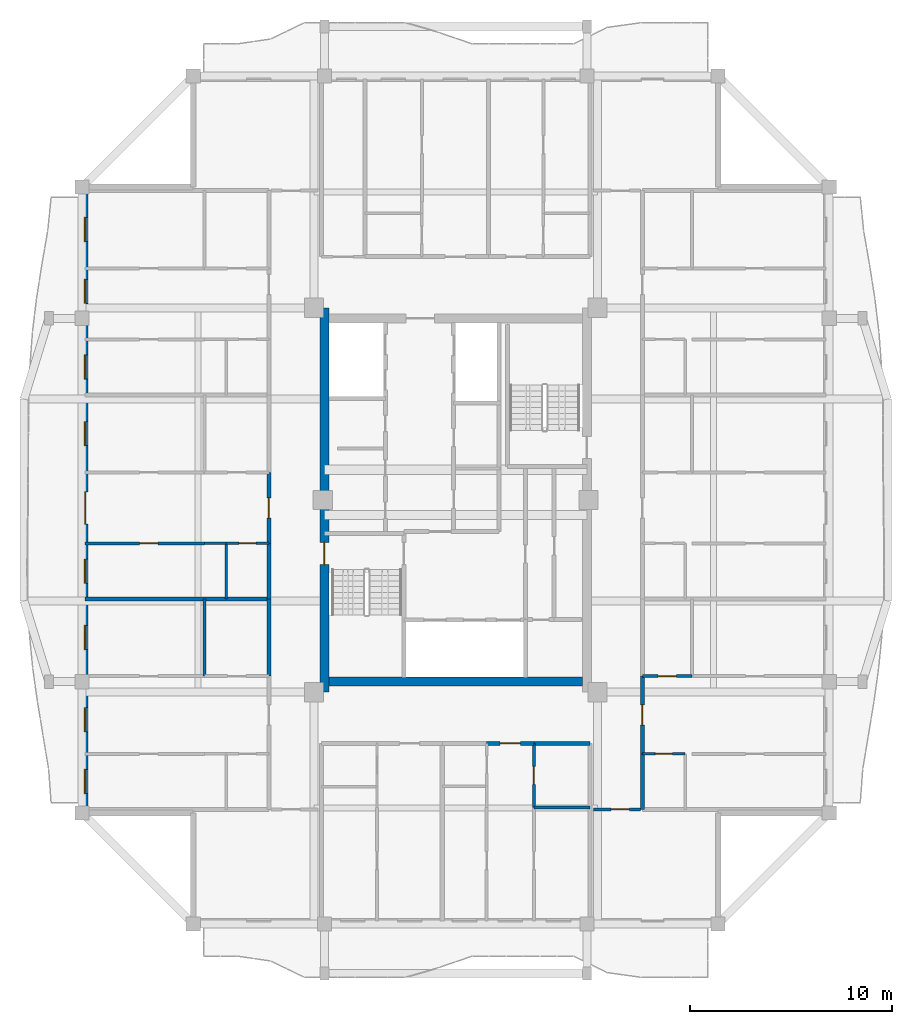
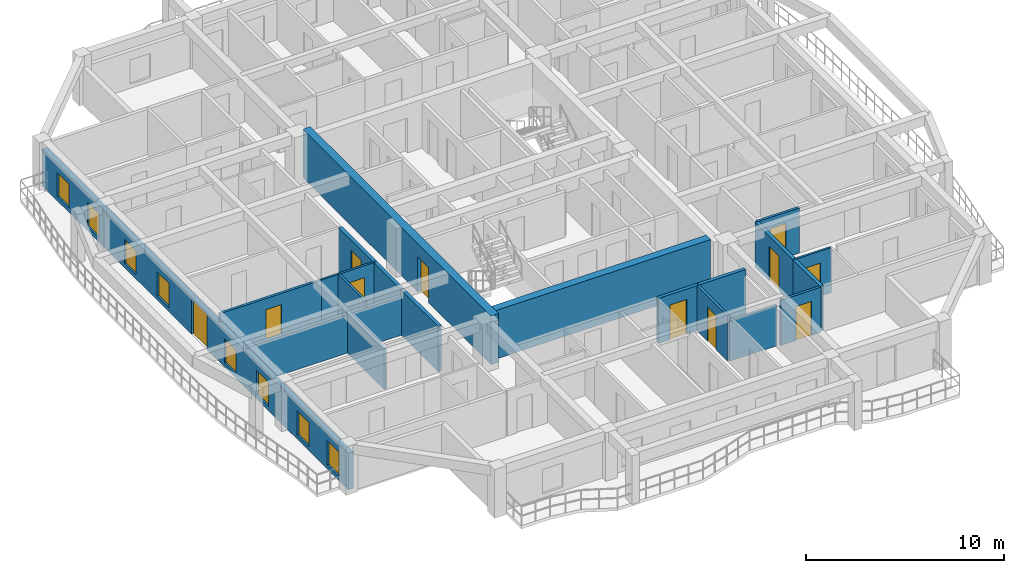
# One storey, part 3 of 14: 21 walls, 11 doors, 8 windows, 19 openings.
"""IFC4 building model written with IfcOpenShell, lengths in metres."""

from ifc_helpers import new_model, si_unit, direction, frame, frame_2d, origin, place, context, subcontext, project, spatial, rectangle, extrude, source, transform, mapped, material, layer, layer_set, type_object, element, fill, save


model = new_model("IFC4")

# Units and contexts
model_context = context("Model", 3, precision=1e-05, world=origin(), true_north=direction((0.0, 1.0)))
body_context = subcontext(model_context, "Body", "Model", "MODEL_VIEW")
ifc_project = project(units=[si_unit("LENGTHUNIT", "METRE"), si_unit("AREAUNIT", "SQUARE_METRE"), si_unit("VOLUMEUNIT", "CUBIC_METRE"), si_unit("PLANEANGLEUNIT", "RADIAN"), si_unit("MASSUNIT", "GRAM", prefix="KILO")], contexts=[model_context])

# Site, building, storey
site_placement = place(None, origin())
site = spatial("IfcSite", under=ifc_project, at=site_placement, CompositionType="ELEMENT")
building_placement = place(site_placement, origin())
building = spatial("IfcBuilding", under=site, at=building_placement, Name="Saelheon Loggia Tower", CompositionType="ELEMENT")
storey_placement = place(building_placement, frame((0.0, 0.0, 213.300048828125)))
storey = spatial("IfcBuildingStorey", under=building, at=storey_placement, Name="L66", CompositionType="ELEMENT", Elevation=213.300048828125)

# Wall, opening, door
ifc_material_1 = material(Name="Concrete C45/55", Category="concrete")
ifc_layer_1 = layer(ifc_material_1, 0.449951171875)
ifc_layer_set_1 = layer_set([ifc_layer_1], Name="Concrete C45/55")
wall_type_1 = type_object("IfcWallType", Name="Wall_CoreShear_450", PredefinedType="SHEAR", material=ifc_layer_set_1)
wall_1_placement = place(storey_placement, frame((31.5, 17.47998046875, 0.0), z_axis=(0.0, 0.0, 1.0), x_axis=(0.0, 1.0, 0.0)))
wall_1 = element("IfcWall", 1, at=wall_1_placement, inside=storey, type_object=wall_type_1, Name="L66 Core Shear Wall West", PredefinedType="SHEAR", context=body_context, shape_type="SweptSolid", body=[
    extrude(rectangle(XDim=19.0400390625, YDim=0.449951171875, at=frame_2d((9.52001953125, 0.0))), origin(), (0.0, 0.0, 1.0), 3.0),
])
opening_1_placement = place(wall_1_placement, frame((6.320068359375, 0.0, 0.0)))
opening_1 = element("IfcOpeningElement", 2, at=opening_1_placement, cuts=wall_1, Name="Opening D-FD2", PredefinedType="OPENING", context=body_context, shape_type="SweptSolid", body=[
    extrude(rectangle(XDim=1.10009765625, YDim=2.14990234375, at=frame_2d((0.550048828125, 1.074951171875))), frame((0.0, 0.237060546875, 0.0), z_axis=(0.0, -1.0, 0.0), x_axis=(1.0, 0.0, 0.0)), (0.0, 0.0, 1.0), 0.473876953125),
])
ifc_material_2 = material(Name="Galvanised Steel Fire Door", Category="steel")
door_type_1 = type_object("IfcDoorType", Name="Door_Fire_FD60_1100", OperationType="NOTDEFINED", PredefinedType="DOOR", material=ifc_material_2)
shared_shape_1 = source(origin(), body_context, "Body", "SweptSolid", [
    extrude(rectangle(XDim=1.10009765625, YDim=2.14990234375, at=frame_2d((0.550048828125, 1.074951171875))), frame((0.0, 0.02490234375, 0.0), z_axis=(0.0, -1.0, 0.0), x_axis=(1.0, 0.0, 0.0)), (0.0, 0.0, 1.0), 0.050048828125),
])
door_1_placement = place(opening_1_placement, origin())
door_1 = element("IfcDoor", 3, at=door_1_placement, inside=storey, type_object=door_type_1, Name="L66 Stair ST1 Corridor Door", OperationType="SINGLE_SWING_LEFT", OverallHeight=2.14990234375, OverallWidth=1.10009765625, PredefinedType="DOOR", context=body_context, shape_type="MappedRepresentation", body=[
    mapped(shared_shape_1, transform((0.0, 0.0, 0.0), scale=1.0)),
])
fill(opening_1, door_1)

# Wall
wall_2_placement = place(storey_placement, frame((31.72509765625, 18.0, 0.0), z_axis=(0.0, 0.0, 1.0), x_axis=(1.0, 0.0, 0.0)))
element("IfcWall", 4, at=wall_2_placement, inside=storey, type_object=wall_type_1, Name="L66 Core Shear Wall South", PredefinedType="SHEAR", context=body_context, shape_type="SweptSolid", body=[
    extrude(rectangle(XDim=12.5498046875, YDim=0.449951171875, at=frame_2d((6.27490234375, 0.0))), origin(), (0.0, 0.0, 1.0), 3.0),
])

# Wall, openings, windows, door
ifc_material_3 = material(Name="Architectural Precast Concrete C40/50", Category="concrete")
ifc_layer_2 = layer(ifc_material_3, 0.280029296875)
ifc_layer_set_2 = layer_set([ifc_layer_2], Name="Architectural Precast Concrete C40/50")
wall_type_2 = type_object("IfcWallType", Name="Wall_Ext_Loggia_280", PredefinedType="SOLIDWALL", material=ifc_layer_set_2)
wall_3_placement = place(storey_placement, frame((19.639892578125, 11.5, 0.0), z_axis=(0.0, 0.0, 1.0), x_axis=(0.0, 1.0, 0.0)))
wall_3 = element("IfcWall", 5, at=wall_3_placement, inside=storey, type_object=wall_type_2, Name="L66 West Loggia Inner Wall", PredefinedType="SOLIDWALL", context=body_context, shape_type="SweptSolid", body=[
    extrude(rectangle(XDim=31.0, YDim=0.280029296875, at=frame_2d((15.5, 0.0))), origin(), (0.0, 0.0, 1.0), 2.280029296875),
])
opening_2_placement = place(wall_3_placement, frame((0.9599609375, 0.0, 0.25)))
opening_2 = element("IfcOpeningElement", 6, at=opening_2_placement, cuts=wall_3, Name="Opening WN-03", PredefinedType="OPENING", context=body_context, shape_type="SweptSolid", body=[
    extrude(rectangle(XDim=1.199951171875, YDim=1.5, at=frame_2d((0.60009765625, 0.75))), frame((0.0, 0.152099609375, 0.0), z_axis=(0.0, -1.0, 0.0), x_axis=(1.0, 0.0, 0.0)), (0.0, 0.0, 1.0), 0.303955078125),
])
opening_3_placement = place(wall_3_placement, frame((4.02001953125, 0.0, 0.25)))
opening_3 = element("IfcOpeningElement", 7, at=opening_3_placement, cuts=wall_3, Name="Opening WN-03", PredefinedType="OPENING", context=body_context, shape_type="SweptSolid", body=[
    extrude(rectangle(XDim=1.199951171875, YDim=1.5, at=frame_2d((0.60009765625, 0.75))), frame((0.0, 0.152099609375, 0.0), z_axis=(0.0, -1.0, 0.0), x_axis=(1.0, 0.0, 0.0)), (0.0, 0.0, 1.0), 0.303955078125),
])
opening_4_placement = place(wall_3_placement, frame((8.0888671875, 0.0, 0.25)))
opening_4 = element("IfcOpeningElement", 8, at=opening_4_placement, cuts=wall_3, Name="Opening WN-03", PredefinedType="OPENING", context=body_context, shape_type="SweptSolid", body=[
    extrude(rectangle(XDim=1.199951171875, YDim=1.5, at=frame_2d((0.60009765625, 0.75))), frame((0.0, 0.152099609375, 0.0), z_axis=(0.0, -1.0, 0.0), x_axis=(1.0, 0.0, 0.0)), (0.0, 0.0, 1.0), 0.303955078125),
])
opening_5_placement = place(wall_3_placement, frame((11.37255859375, 0.0, 0.25)))
opening_5 = element("IfcOpeningElement", 9, at=opening_5_placement, cuts=wall_3, Name="Opening WN-03", PredefinedType="OPENING", context=body_context, shape_type="SweptSolid", body=[
    extrude(rectangle(XDim=1.199951171875, YDim=1.5, at=frame_2d((0.60009765625, 0.75))), frame((0.0, 0.152099609375, 0.0), z_axis=(0.0, -1.0, 0.0), x_axis=(1.0, 0.0, 0.0)), (0.0, 0.0, 1.0), 0.303955078125),
])
opening_6_placement = place(wall_3_placement, frame((14.306884765625, 0.0, 0.0)))
opening_6 = element("IfcOpeningElement", 10, at=opening_6_placement, cuts=wall_3, Name="Opening DLG-1", PredefinedType="OPENING", context=body_context, shape_type="SweptSolid", body=[
    extrude(rectangle(XDim=1.60009765625, YDim=2.14990234375, at=frame_2d((0.800048828125, 1.074951171875))), frame((0.0, 0.152099609375, 0.0), z_axis=(0.0, -1.0, 0.0), x_axis=(1.0, 0.0, 0.0)), (0.0, 0.0, 1.0), 0.303955078125),
])
opening_7_placement = place(wall_3_placement, frame((18.1875, 0.0, 0.25)))
opening_7 = element("IfcOpeningElement", 11, at=opening_7_placement, cuts=wall_3, Name="Opening WN-03", PredefinedType="OPENING", context=body_context, shape_type="SweptSolid", body=[
    extrude(rectangle(XDim=1.199951171875, YDim=1.5, at=frame_2d((0.60009765625, 0.75))), frame((0.0, 0.152099609375, 0.0), z_axis=(0.0, -1.0, 0.0), x_axis=(1.0, 0.0, 0.0)), (0.0, 0.0, 1.0), 0.303955078125),
])
opening_8_placement = place(wall_3_placement, frame((21.48388671875, 0.0, 0.25)))
opening_8 = element("IfcOpeningElement", 12, at=opening_8_placement, cuts=wall_3, Name="Opening WN-03", PredefinedType="OPENING", context=body_context, shape_type="SweptSolid", body=[
    extrude(rectangle(XDim=1.199951171875, YDim=1.5, at=frame_2d((0.60009765625, 0.75))), frame((0.0, 0.152099609375, 0.0), z_axis=(0.0, -1.0, 0.0), x_axis=(1.0, 0.0, 0.0)), (0.0, 0.0, 1.0), 0.303955078125),
])
opening_9_placement = place(wall_3_placement, frame((25.23388671875, 0.0, 0.25)))
opening_9 = element("IfcOpeningElement", 13, at=opening_9_placement, cuts=wall_3, Name="Opening WN-03", PredefinedType="OPENING", context=body_context, shape_type="SweptSolid", body=[
    extrude(rectangle(XDim=1.199951171875, YDim=1.5, at=frame_2d((0.60009765625, 0.75))), frame((0.0, 0.152099609375, 0.0), z_axis=(0.0, -1.0, 0.0), x_axis=(1.0, 0.0, 0.0)), (0.0, 0.0, 1.0), 0.303955078125),
])
opening_10_placement = place(wall_3_placement, frame((28.293701171875, 0.0, 0.25)))
opening_10 = element("IfcOpeningElement", 14, at=opening_10_placement, cuts=wall_3, Name="Opening WN-03", PredefinedType="OPENING", context=body_context, shape_type="SweptSolid", body=[
    extrude(rectangle(XDim=1.199951171875, YDim=1.5, at=frame_2d((0.60009765625, 0.75))), frame((0.0, 0.152099609375, 0.0), z_axis=(0.0, -1.0, 0.0), x_axis=(1.0, 0.0, 0.0)), (0.0, 0.0, 1.0), 0.303955078125),
])
ifc_material_4 = material(Name="Thermal-Break Aluminium and Triple Low-E Glass", Category="aluminium")
window_type = type_object("IfcWindowType", Name="Win_Bedroom_1200x1500", PartitioningType="SINGLE_PANEL", PredefinedType="WINDOW", material=ifc_material_4)
shared_shape_2 = source(origin(), body_context, "Body", "SweptSolid", [
    extrude(rectangle(XDim=1.199951171875, YDim=1.5, at=frame_2d((0.60009765625, 0.75))), frame((0.0, 0.030029296875, 0.0), z_axis=(0.0, -1.0, 0.0), x_axis=(1.0, 0.0, 0.0)), (0.0, 0.0, 1.0), 0.06005859375),
])
window_1_placement = place(opening_2_placement, origin())
window_1 = element("IfcWindow", 15, at=window_1_placement, inside=storey, type_object=window_type, Name="L66 W Dwelling Window 1", OverallHeight=1.5, OverallWidth=1.199951171875, PartitioningType="SINGLE_PANEL", PredefinedType="WINDOW", context=body_context, shape_type="MappedRepresentation", body=[
    mapped(shared_shape_2, transform((0.0, 0.0, 0.0), scale=1.0)),
])
fill(opening_2, window_1)
window_2_placement = place(opening_3_placement, origin())
window_2 = element("IfcWindow", 16, at=window_2_placement, inside=storey, type_object=window_type, Name="L66 W Dwelling Window 2", OverallHeight=1.5, OverallWidth=1.199951171875, PartitioningType="SINGLE_PANEL", PredefinedType="WINDOW", context=body_context, shape_type="MappedRepresentation", body=[
    mapped(shared_shape_2, transform((0.0, 0.0, 0.0), scale=1.0)),
])
fill(opening_3, window_2)
window_3_placement = place(opening_4_placement, origin())
window_3 = element("IfcWindow", 17, at=window_3_placement, inside=storey, type_object=window_type, Name="L66 W Dwelling Window 3", OverallHeight=1.5, OverallWidth=1.199951171875, PartitioningType="SINGLE_PANEL", PredefinedType="WINDOW", context=body_context, shape_type="MappedRepresentation", body=[
    mapped(shared_shape_2, transform((0.0, 0.0, 0.0), scale=1.0)),
])
fill(opening_4, window_3)
window_4_placement = place(opening_5_placement, origin())
window_4 = element("IfcWindow", 18, at=window_4_placement, inside=storey, type_object=window_type, Name="L66 W Dwelling Window 4", OverallHeight=1.5, OverallWidth=1.199951171875, PartitioningType="SINGLE_PANEL", PredefinedType="WINDOW", context=body_context, shape_type="MappedRepresentation", body=[
    mapped(shared_shape_2, transform((0.0, 0.0, 0.0), scale=1.0)),
])
fill(opening_5, window_4)
window_5_placement = place(opening_7_placement, origin())
window_5 = element("IfcWindow", 19, at=window_5_placement, inside=storey, type_object=window_type, Name="L66 W Dwelling Window 6", OverallHeight=1.5, OverallWidth=1.199951171875, PartitioningType="SINGLE_PANEL", PredefinedType="WINDOW", context=body_context, shape_type="MappedRepresentation", body=[
    mapped(shared_shape_2, transform((0.0, 0.0, 0.0), scale=1.0)),
])
fill(opening_7, window_5)
window_6_placement = place(opening_8_placement, origin())
window_6 = element("IfcWindow", 20, at=window_6_placement, inside=storey, type_object=window_type, Name="L66 W Dwelling Window 7", OverallHeight=1.5, OverallWidth=1.199951171875, PartitioningType="SINGLE_PANEL", PredefinedType="WINDOW", context=body_context, shape_type="MappedRepresentation", body=[
    mapped(shared_shape_2, transform((0.0, 0.0, 0.0), scale=1.0)),
])
fill(opening_8, window_6)
window_7_placement = place(opening_9_placement, origin())
window_7 = element("IfcWindow", 21, at=window_7_placement, inside=storey, type_object=window_type, Name="L66 W Dwelling Window 8", OverallHeight=1.5, OverallWidth=1.199951171875, PartitioningType="SINGLE_PANEL", PredefinedType="WINDOW", context=body_context, shape_type="MappedRepresentation", body=[
    mapped(shared_shape_2, transform((0.0, 0.0, 0.0), scale=1.0)),
])
fill(opening_9, window_7)
window_8_placement = place(opening_10_placement, origin())
window_8 = element("IfcWindow", 22, at=window_8_placement, inside=storey, type_object=window_type, Name="L66 W Dwelling Window 9", OverallHeight=1.5, OverallWidth=1.199951171875, PartitioningType="SINGLE_PANEL", PredefinedType="WINDOW", context=body_context, shape_type="MappedRepresentation", body=[
    mapped(shared_shape_2, transform((0.0, 0.0, 0.0), scale=1.0)),
])
fill(opening_10, window_8)
ifc_material_5 = material(Name="Thermal-Break Aluminium Sliding Glazed Door", Category="aluminium")
door_type_2 = type_object("IfcDoorType", Name="Door_LoggiaSlide_1600", OperationType="SLIDING_TO_LEFT", PredefinedType="DOOR", material=ifc_material_5)
shared_shape_3 = source(origin(), body_context, "Body", "SweptSolid", [
    extrude(rectangle(XDim=1.60009765625, YDim=2.14990234375, at=frame_2d((0.800048828125, 1.074951171875))), frame((0.0, 0.02490234375, 0.0), z_axis=(0.0, -1.0, 0.0), x_axis=(1.0, 0.0, 0.0)), (0.0, 0.0, 1.0), 0.050048828125),
])
door_2_placement = place(opening_6_placement, origin())
door_2 = element("IfcDoor", 23, at=door_2_placement, inside=storey, type_object=door_type_2, Name="L66 W Loggia Access Door", OperationType="SLIDING_TO_LEFT", OverallHeight=2.14990234375, OverallWidth=1.60009765625, PredefinedType="DOOR", context=body_context, shape_type="MappedRepresentation", body=[
    mapped(shared_shape_3, transform((0.0, 0.0, 0.0), scale=1.0)),
])
fill(opening_6, door_2)

# Wall, opening, door
ifc_material_6 = material(Name="Lightweight Autoclaved Aerated Concrete Block and Acoustic Gypsum", Category="concrete")
ifc_layer_3 = layer(ifc_material_6, 0.14990234375)
ifc_layer_set_3 = layer_set([ifc_layer_3], Name="Lightweight Autoclaved Aerated Concrete Block and Acoustic Gypsum")
wall_type_3 = type_object("IfcWallType", Name="Wall_Part_150", PredefinedType="PARTITIONING", material=ifc_layer_set_3)
wall_4_placement = place(storey_placement, frame((44.820068359375, 11.679931640625, 0.0), z_axis=(0.0, 0.0, 1.0), x_axis=(1.0, 0.0, 0.0)))
wall_4 = element("IfcWall", 24, at=wall_4_placement, inside=storey, type_object=wall_type_3, Name="PW-L66-CSE-H", PredefinedType="PARTITIONING", context=body_context, shape_type="SweptSolid", body=[
    extrude(rectangle(XDim=2.329833984375, YDim=0.14990234375, at=frame_2d((1.1650390625, 0.0))), origin(), (0.0, 0.0, 1.0), 2.7900390625),
])
opening_11_placement = place(wall_4_placement, frame((0.8798828125, 0.0, 0.0)))
opening_11 = element("IfcOpeningElement", 25, at=opening_11_placement, cuts=wall_4, Name="Opening D-IN2", PredefinedType="OPENING", context=body_context, shape_type="SweptSolid", body=[
    extrude(rectangle(XDim=0.89990234375, YDim=2.10009765625, at=frame_2d((0.449951171875, 1.050048828125))), frame((0.0, 0.0869140625, 0.0), z_axis=(0.0, -1.0, 0.0), x_axis=(1.0, 0.0, 0.0)), (0.0, 0.0, 1.0), 0.173828125),
])
ifc_material_7 = material(Name="Engineered Oak Flush Door", Category="timber")
door_type_3 = type_object("IfcDoorType", Name="Door_Int_900", OperationType="NOTDEFINED", PredefinedType="DOOR", material=ifc_material_7)
shared_shape_4 = source(origin(), body_context, "Body", "SweptSolid", [
    extrude(rectangle(XDim=0.89990234375, YDim=2.10009765625, at=frame_2d((0.449951171875, 1.050048828125))), frame((0.0, 0.02490234375, 0.0), z_axis=(0.0, -1.0, 0.0), x_axis=(1.0, 0.0, 0.0)), (0.0, 0.0, 1.0), 0.050048828125),
])
door_3_placement = place(opening_11_placement, origin())
door_3 = element("IfcDoor", 26, at=door_3_placement, inside=storey, type_object=door_type_3, Name="L66 Corner Reading Room SE Door", OperationType="SINGLE_SWING_LEFT", OverallHeight=2.10009765625, OverallWidth=0.89990234375, PredefinedType="DOOR", context=body_context, shape_type="MappedRepresentation", body=[
    mapped(shared_shape_4, transform((0.0, 0.0, 0.0), scale=1.0)),
])
fill(opening_11, door_3)

# Wall
wall_5_placement = place(storey_placement, frame((41.870361328125, 11.77001953125, 0.0), z_axis=(0.0, 0.0, 1.0), x_axis=(1.0, 0.0, 0.0)))
element("IfcWall", 27, at=wall_5_placement, inside=storey, type_object=wall_type_3, Name="L66 S Partition V14", PredefinedType="PARTITIONING", context=body_context, shape_type="SweptSolid", body=[
    extrude(rectangle(XDim=2.779541015625, YDim=0.14990234375, at=frame_2d((1.3896484375, 0.0))), origin(), (0.0, 0.0, 1.0), 2.489990234375),
])

# Wall, opening, door
wall_6_placement = place(storey_placement, frame((41.870361328125, 14.949951171875, 0.0), z_axis=(0.0, 0.0, 1.0), x_axis=(0.0, -1.0, 0.0)))
wall_6 = element("IfcWall", 28, at=wall_6_placement, inside=storey, type_object=wall_type_3, Name="L66 S Partition U18", PredefinedType="PARTITIONING", context=body_context, shape_type="SweptSolid", body=[
    extrude(rectangle(XDim=3.179931640625, YDim=0.14990234375, at=frame_2d((1.58984375, 0.0))), origin(), (0.0, 0.0, 1.0), 2.7900390625),
])
opening_12_placement = place(wall_6_placement, frame((1.139892578125, 0.0, 0.0)))
opening_12 = element("IfcOpeningElement", 29, at=opening_12_placement, cuts=wall_6, Name="Opening D-IN2", PredefinedType="OPENING", context=body_context, shape_type="SweptSolid", body=[
    extrude(rectangle(XDim=0.89990234375, YDim=2.10009765625, at=frame_2d((0.449951171875, 1.050048828125))), frame((0.0, 0.0869140625, 0.0), z_axis=(0.0, -1.0, 0.0), x_axis=(1.0, 0.0, 0.0)), (0.0, 0.0, 1.0), 0.173828125),
])
door_4_placement = place(opening_12_placement, origin())
door_4 = element("IfcDoor", 30, at=door_4_placement, inside=storey, type_object=door_type_3, Name="Unit U02 Dressing Closet Door", OperationType="SINGLE_SWING_LEFT", OverallHeight=2.10009765625, OverallWidth=0.89990234375, PredefinedType="DOOR", context=body_context, shape_type="MappedRepresentation", body=[
    mapped(shared_shape_4, transform((0.0, 0.0, 0.0), scale=1.0)),
])
fill(opening_12, door_4)

# Wall
wall_7_placement = place(storey_placement, frame((25.570068359375, 18.280029296875, 0.0), z_axis=(0.0, 0.0, 1.0), x_axis=(0.0, 1.0, 0.0)))
element("IfcWall", 31, at=wall_7_placement, inside=storey, type_object=wall_type_3, Name="L66 W Partition V07", PredefinedType="PARTITIONING", context=body_context, shape_type="SweptSolid", body=[
    extrude(rectangle(XDim=3.817626953125, YDim=0.14990234375, at=frame_2d((1.90869140625, 0.0))), origin(), (0.0, 0.0, 1.0), 2.489990234375),
])

# Wall, opening, door
wall_8_placement = place(storey_placement, frame((25.570068359375, 24.84765625, 0.0), z_axis=(0.0, 0.0, 1.0), x_axis=(-1.0, 0.0, 0.0)))
wall_8 = element("IfcWall", 32, at=wall_8_placement, inside=storey, type_object=wall_type_3, Name="L66 W Partition U21", PredefinedType="PARTITIONING", context=body_context, shape_type="SweptSolid", body=[
    extrude(rectangle(XDim=5.920166015625, YDim=0.14990234375, at=frame_2d((2.9599609375, 0.0))), origin(), (0.0, 0.0, 1.0), 2.7900390625),
])
opening_13_placement = place(wall_8_placement, frame((2.32080078125, 0.0, 0.0)))
opening_13 = element("IfcOpeningElement", 33, at=opening_13_placement, cuts=wall_8, Name="Opening D-IN2", PredefinedType="OPENING", context=body_context, shape_type="SweptSolid", body=[
    extrude(rectangle(XDim=0.89990234375, YDim=2.10009765625, at=frame_2d((0.449951171875, 1.050048828125))), frame((0.0, 0.0869140625, 0.0), z_axis=(0.0, -1.0, 0.0), x_axis=(1.0, 0.0, 0.0)), (0.0, 0.0, 1.0), 0.173828125),
])
door_5_placement = place(opening_13_placement, origin())
door_5 = element("IfcDoor", 34, at=door_5_placement, inside=storey, type_object=door_type_3, Name="Unit U06 Kitchen Door", OperationType="SINGLE_SWING_LEFT", OverallHeight=2.10009765625, OverallWidth=0.89990234375, PredefinedType="DOOR", context=body_context, shape_type="MappedRepresentation", body=[
    mapped(shared_shape_4, transform((0.0, 0.0, 0.0), scale=1.0)),
])
fill(opening_13, door_5)

wall_9_placement = place(storey_placement, frame((47.25, 18.280029296875, 0.0), z_axis=(0.0, 0.0, 1.0), x_axis=(1.0, 0.0, 0.0)))
wall_9 = element("IfcWall", 35, at=wall_9_placement, inside=storey, type_object=wall_type_3, Name="L66 E Partition U10", PredefinedType="PARTITIONING", context=body_context, shape_type="SweptSolid", body=[
    extrude(rectangle(XDim=2.4599609375, YDim=0.14990234375, at=frame_2d((1.22998046875, 0.0))), origin(), (0.0, 0.0, 1.0), 2.7900390625),
])
opening_14_placement = place(wall_9_placement, frame((0.780029296875, 0.0, 0.0)))
opening_14 = element("IfcOpeningElement", 36, at=opening_14_placement, cuts=wall_9, Name="Opening D-IN2", PredefinedType="OPENING", context=body_context, shape_type="SweptSolid", body=[
    extrude(rectangle(XDim=0.89990234375, YDim=2.10009765625, at=frame_2d((0.449951171875, 1.050048828125))), frame((0.0, 0.0869140625, 0.0), z_axis=(0.0, -1.0, 0.0), x_axis=(1.0, 0.0, 0.0)), (0.0, 0.0, 1.0), 0.173828125),
])
door_6_placement = place(opening_14_placement, origin())
door_6 = element("IfcDoor", 37, at=door_6_placement, inside=storey, type_object=door_type_3, Name="Unit U08 Dressing Closet Door", OperationType="SINGLE_SWING_RIGHT", OverallHeight=2.10009765625, OverallWidth=0.89990234375, PredefinedType="DOOR", context=body_context, shape_type="MappedRepresentation", body=[
    mapped(shared_shape_4, transform((0.0, 0.0, 0.0), scale=1.0)),
])
fill(opening_14, door_6)

ifc_material_8 = material(Name="Double Acoustic Stud and Fireboard Partition", Category="gypsum")
ifc_layer_4 = layer(ifc_material_8, 0.199951171875)
ifc_layer_set_4 = layer_set([ifc_layer_4], Name="Double Acoustic Stud and Fireboard Partition")
wall_type_4 = type_object("IfcWallType", Name="Wall_Party_200", PredefinedType="PARTITIONING", material=ifc_layer_set_4)
wall_10_placement = place(storey_placement, frame((39.534912109375, 14.949951171875, 0.0), z_axis=(0.0, 0.0, 1.0), x_axis=(1.0, 0.0, 0.0)))
wall_10 = element("IfcWall", 38, at=wall_10_placement, inside=storey, type_object=wall_type_4, Name="L66 S Partition V11", PredefinedType="PARTITIONING", context=body_context, shape_type="SweptSolid", body=[
    extrude(rectangle(XDim=2.33544921875, YDim=0.199951171875, at=frame_2d((1.167724609375, 0.0))), origin(), (0.0, 0.0, 1.0), 2.7900390625),
])
opening_15_placement = place(wall_10_placement, frame((0.667724609375, 0.0, 0.0)))
opening_15 = element("IfcOpeningElement", 39, at=opening_15_placement, cuts=wall_10, Name="Opening D-FD1", PredefinedType="OPENING", context=body_context, shape_type="SweptSolid", body=[
    extrude(rectangle(XDim=1.0, YDim=2.14990234375, at=frame_2d((0.5, 1.074951171875))), frame((0.0, 0.112060546875, 0.0), z_axis=(0.0, -1.0, 0.0), x_axis=(1.0, 0.0, 0.0)), (0.0, 0.0, 1.0), 0.223876953125),
])
ifc_material_9 = material(Name="Fire-Rated Engineered Timber Entrance Door", Category="wood")
door_type_4 = type_object("IfcDoorType", Name="Door_Flat_FD30S", OperationType="NOTDEFINED", PredefinedType="DOOR", material=ifc_material_9)
shared_shape_5 = source(origin(), body_context, "Body", "SweptSolid", [
    extrude(rectangle(XDim=1.0, YDim=2.14990234375, at=frame_2d((0.5, 1.074951171875))), frame((0.0, 0.02490234375, 0.0), z_axis=(0.0, -1.0, 0.0), x_axis=(1.0, 0.0, 0.0)), (0.0, 0.0, 1.0), 0.050048828125),
])
door_7_placement = place(opening_15_placement, origin())
door_7 = element("IfcDoor", 40, at=door_7_placement, inside=storey, type_object=door_type_4, Name="Unit U02 Entrance Door", OperationType="SINGLE_SWING_RIGHT", OverallHeight=2.14990234375, OverallWidth=1.0, PredefinedType="DOOR", context=body_context, shape_type="MappedRepresentation", body=[
    mapped(shared_shape_5, transform((0.0, 0.0, 0.0), scale=1.0)),
])
fill(opening_15, door_7)

# Walls
wall_11_placement = place(storey_placement, frame((41.870361328125, 14.949951171875, 0.0), z_axis=(0.0, 0.0, 1.0), x_axis=(1.0, 0.0, 0.0)))
element("IfcWall", 41, at=wall_11_placement, inside=storey, type_object=wall_type_4, Name="L66 S Partition V12", PredefinedType="PARTITIONING", context=body_context, shape_type="SweptSolid", body=[
    extrude(rectangle(XDim=2.779541015625, YDim=0.199951171875, at=frame_2d((1.3896484375, 0.0))), origin(), (0.0, 0.0, 1.0), 2.7900390625),
])
wall_12_placement = place(storey_placement, frame((28.75, 18.280029296875, 0.0), z_axis=(0.0, 0.0, 1.0), x_axis=(0.0, 1.0, 0.0)))
element("IfcWall", 42, at=wall_12_placement, inside=storey, type_object=wall_type_4, Name="L66 W Partition V05", PredefinedType="PARTITIONING", context=body_context, shape_type="SweptSolid", body=[
    extrude(rectangle(XDim=3.817626953125, YDim=0.199951171875, at=frame_2d((1.90869140625, 0.0))), origin(), (0.0, 0.0, 1.0), 2.7900390625),
])
wall_13_placement = place(storey_placement, frame((28.75, 22.09765625, 0.0), z_axis=(0.0, 0.0, 1.0), x_axis=(-1.0, 0.0, 0.0)))
element("IfcWall", 43, at=wall_13_placement, inside=storey, type_object=wall_type_4, Name="L66 W Partition U13", PredefinedType="PARTITIONING", context=body_context, shape_type="SweptSolid", body=[
    extrude(rectangle(XDim=9.10009765625, YDim=0.199951171875, at=frame_2d((4.550048828125, 0.0))), origin(), (0.0, 0.0, 1.0), 2.389892578125),
])
wall_14_placement = place(storey_placement, frame((28.75, 22.09765625, 0.0), z_axis=(0.0, 0.0, 1.0), x_axis=(0.0, 1.0, 0.0)))
element("IfcWall", 44, at=wall_14_placement, inside=storey, type_object=wall_type_4, Name="L66 W Partition V14", PredefinedType="PARTITIONING", context=body_context, shape_type="SweptSolid", body=[
    extrude(rectangle(XDim=2.75, YDim=0.199951171875, at=frame_2d((1.375, 0.0))), origin(), (0.0, 0.0, 1.0), 2.7900390625),
])

# Wall, opening, door
wall_15_placement = place(storey_placement, frame((28.75, 24.84765625, 0.0), z_axis=(0.0, 0.0, 1.0), x_axis=(0.0, 1.0, 0.0)))
wall_15 = element("IfcWall", 45, at=wall_15_placement, inside=storey, type_object=wall_type_4, Name="L66 W Partition V15", PredefinedType="PARTITIONING", context=body_context, shape_type="SweptSolid", body=[
    extrude(rectangle(XDim=3.518798828125, YDim=0.199951171875, at=frame_2d((1.75927734375, 0.0))), origin(), (0.0, 0.0, 1.0), 2.7900390625),
])
opening_16_placement = place(wall_15_placement, frame((1.259521484375, 0.0, 0.0)))
opening_16 = element("IfcOpeningElement", 46, at=opening_16_placement, cuts=wall_15, Name="Opening D-FD1", PredefinedType="OPENING", context=body_context, shape_type="SweptSolid", body=[
    extrude(rectangle(XDim=1.0, YDim=2.14990234375, at=frame_2d((0.5, 1.074951171875))), frame((0.0, 0.112060546875, 0.0), z_axis=(0.0, -1.0, 0.0), x_axis=(1.0, 0.0, 0.0)), (0.0, 0.0, 1.0), 0.223876953125),
])
door_8_placement = place(opening_16_placement, origin())
door_8 = element("IfcDoor", 47, at=door_8_placement, inside=storey, type_object=door_type_4, Name="Unit U06 Entrance Door", OperationType="SINGLE_SWING_LEFT", OverallHeight=2.14990234375, OverallWidth=1.0, PredefinedType="DOOR", context=body_context, shape_type="MappedRepresentation", body=[
    mapped(shared_shape_5, transform((0.0, 0.0, 0.0), scale=1.0)),
])
fill(opening_16, door_8)

# Wall
wall_16_placement = place(storey_placement, frame((47.25, 11.679931640625, 0.0), z_axis=(0.0, 0.0, 1.0), x_axis=(0.0, 1.0, 0.0)))
element("IfcWall", 48, at=wall_16_placement, inside=storey, type_object=wall_type_4, Name="L66 E Partition V03", PredefinedType="PARTITIONING", context=body_context, shape_type="SweptSolid", body=[
    extrude(rectangle(XDim=2.75, YDim=0.199951171875, at=frame_2d((1.375, 0.0))), origin(), (0.0, 0.0, 1.0), 2.7900390625),
])

# Wall, opening, door
wall_17_placement = place(storey_placement, frame((47.25, 14.429931640625, 0.0), z_axis=(0.0, 0.0, 1.0), x_axis=(0.0, 1.0, 0.0)))
wall_17 = element("IfcWall", 49, at=wall_17_placement, inside=storey, type_object=wall_type_4, Name="L66 E Partition V04", PredefinedType="PARTITIONING", context=body_context, shape_type="SweptSolid", body=[
    extrude(rectangle(XDim=3.85009765625, YDim=0.199951171875, at=frame_2d((1.925048828125, 0.0))), origin(), (0.0, 0.0, 1.0), 2.7900390625),
])
opening_17_placement = place(wall_17_placement, frame((1.425048828125, 0.0, 0.0)))
opening_17 = element("IfcOpeningElement", 50, at=opening_17_placement, cuts=wall_17, Name="Opening D-FD1", PredefinedType="OPENING", context=body_context, shape_type="SweptSolid", body=[
    extrude(rectangle(XDim=1.0, YDim=2.14990234375, at=frame_2d((0.5, 1.074951171875))), frame((0.0, 0.112060546875, 0.0), z_axis=(0.0, -1.0, 0.0), x_axis=(1.0, 0.0, 0.0)), (0.0, 0.0, 1.0), 0.223876953125),
])
door_9_placement = place(opening_17_placement, origin())
door_9 = element("IfcDoor", 51, at=door_9_placement, inside=storey, type_object=door_type_4, Name="Unit U08 Entrance Door", OperationType="SINGLE_SWING_LEFT", OverallHeight=2.14990234375, OverallWidth=1.0, PredefinedType="DOOR", context=body_context, shape_type="MappedRepresentation", body=[
    mapped(shared_shape_5, transform((0.0, 0.0, 0.0), scale=1.0)),
])
fill(opening_17, door_9)

# Wall
ifc_material_10 = material(Name="Moisture-Resistant Cement Board Partition", Category="gypsum")
ifc_layer_5 = layer(ifc_material_10, 0.1201171875)
ifc_layer_set_5 = layer_set([ifc_layer_5], Name="Moisture-Resistant Cement Board Partition")
wall_type_5 = type_object("IfcWallType", Name="Wall_WetPart_120", PredefinedType="PARTITIONING", material=ifc_layer_set_5)
wall_18_placement = place(storey_placement, frame((26.6298828125, 22.09765625, 0.0), z_axis=(0.0, 0.0, 1.0), x_axis=(0.0, 1.0, 0.0)))
element("IfcWall", 52, at=wall_18_placement, inside=storey, type_object=wall_type_5, Name="L66 W Partition V17", PredefinedType="PARTITIONING", context=body_context, shape_type="SweptSolid", body=[
    extrude(rectangle(XDim=2.75, YDim=0.1201171875, at=frame_2d((1.375, 0.0))), origin(), (0.0, 0.0, 1.0), 2.7900390625),
])

# Wall, opening, door
wall_19_placement = place(storey_placement, frame((28.75, 24.84765625, 0.0), z_axis=(0.0, 0.0, 1.0), x_axis=(-1.0, 0.0, 0.0)))
wall_19 = element("IfcWall", 53, at=wall_19_placement, inside=storey, type_object=wall_type_5, Name="L66 W Partition U19", PredefinedType="PARTITIONING", context=body_context, shape_type="SweptSolid", body=[
    extrude(rectangle(XDim=2.1201171875, YDim=0.1201171875, at=frame_2d((1.06005859375, 0.0))), origin(), (0.0, 0.0, 1.0), 2.7900390625),
])
opening_18_placement = place(wall_19_placement, frame((0.635009765625, 0.0, 0.0)))
opening_18 = element("IfcOpeningElement", 54, at=opening_18_placement, cuts=wall_19, Name="Opening D-BT1", PredefinedType="OPENING", context=body_context, shape_type="SweptSolid", body=[
    extrude(rectangle(XDim=0.85009765625, YDim=2.050048828125, at=frame_2d((0.425048828125, 1.02490234375))), frame((0.0, 0.072021484375, 0.0), z_axis=(0.0, -1.0, 0.0), x_axis=(1.0, 0.0, 0.0)), (0.0, 0.0, 1.0), 0.14404296875),
])
ifc_material_11 = material(Name="Moisture-Resistant Laminate Timber Door", Category="wood")
door_type_5 = type_object("IfcDoorType", Name="Door_Bath_850", OperationType="NOTDEFINED", PredefinedType="DOOR", material=ifc_material_11)
shared_shape_6 = source(origin(), body_context, "Body", "SweptSolid", [
    extrude(rectangle(XDim=0.85009765625, YDim=2.050048828125, at=frame_2d((0.425048828125, 1.02490234375))), frame((0.0, 0.02490234375, 0.0), z_axis=(0.0, -1.0, 0.0), x_axis=(1.0, 0.0, 0.0)), (0.0, 0.0, 1.0), 0.050048828125),
])
door_10_placement = place(opening_18_placement, origin())
door_10 = element("IfcDoor", 55, at=door_10_placement, inside=storey, type_object=door_type_5, Name="Unit U06 Bathroom Door", OperationType="SINGLE_SWING_RIGHT", OverallHeight=2.050048828125, OverallWidth=0.85009765625, PredefinedType="DOOR", context=body_context, shape_type="MappedRepresentation", body=[
    mapped(shared_shape_6, transform((0.0, 0.0, 0.0), scale=1.0)),
])
fill(opening_18, door_10)

# Wall
wall_20_placement = place(storey_placement, frame((26.6298828125, 24.84765625, 0.0), z_axis=(0.0, 0.0, 1.0), x_axis=(-1.0, 0.0, 0.0)))
element("IfcWall", 56, at=wall_20_placement, inside=storey, type_object=wall_type_5, Name="L66 W Partition U20", PredefinedType="PARTITIONING", context=body_context, shape_type="SweptSolid", body=[
    extrude(rectangle(XDim=1.059814453125, YDim=0.1201171875, at=frame_2d((0.52978515625, 0.0))), origin(), (0.0, 0.0, 1.0), 2.7900390625),
])

# Wall, opening, door
wall_21_placement = place(storey_placement, frame((47.25, 14.429931640625, 0.0), z_axis=(0.0, 0.0, 1.0), x_axis=(1.0, 0.0, 0.0)))
wall_21 = element("IfcWall", 57, at=wall_21_placement, inside=storey, type_object=wall_type_5, Name="L66 E Partition U08", PredefinedType="PARTITIONING", context=body_context, shape_type="SweptSolid", body=[
    extrude(rectangle(XDim=2.1201171875, YDim=0.1201171875, at=frame_2d((1.06005859375, 0.0))), origin(), (0.0, 0.0, 1.0), 2.7900390625),
])
opening_19_placement = place(wall_21_placement, frame((0.635009765625, 0.0, 0.0)))
opening_19 = element("IfcOpeningElement", 58, at=opening_19_placement, cuts=wall_21, Name="Opening D-BT1", PredefinedType="OPENING", context=body_context, shape_type="SweptSolid", body=[
    extrude(rectangle(XDim=0.85009765625, YDim=2.050048828125, at=frame_2d((0.425048828125, 1.02490234375))), frame((0.0, 0.072021484375, 0.0), z_axis=(0.0, -1.0, 0.0), x_axis=(1.0, 0.0, 0.0)), (0.0, 0.0, 1.0), 0.14404296875),
])
door_11_placement = place(opening_19_placement, origin())
door_11 = element("IfcDoor", 59, at=door_11_placement, inside=storey, type_object=door_type_5, Name="Unit U08 Bathroom Door", OperationType="SINGLE_SWING_RIGHT", OverallHeight=2.050048828125, OverallWidth=0.85009765625, PredefinedType="DOOR", context=body_context, shape_type="MappedRepresentation", body=[
    mapped(shared_shape_6, transform((0.0, 0.0, 0.0), scale=1.0)),
])
fill(opening_19, door_11)

save(model, "model.ifc")
